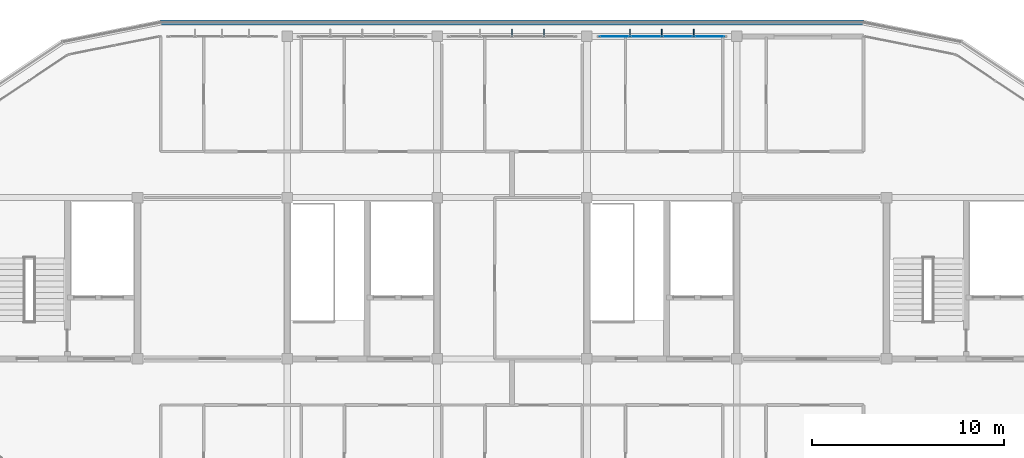
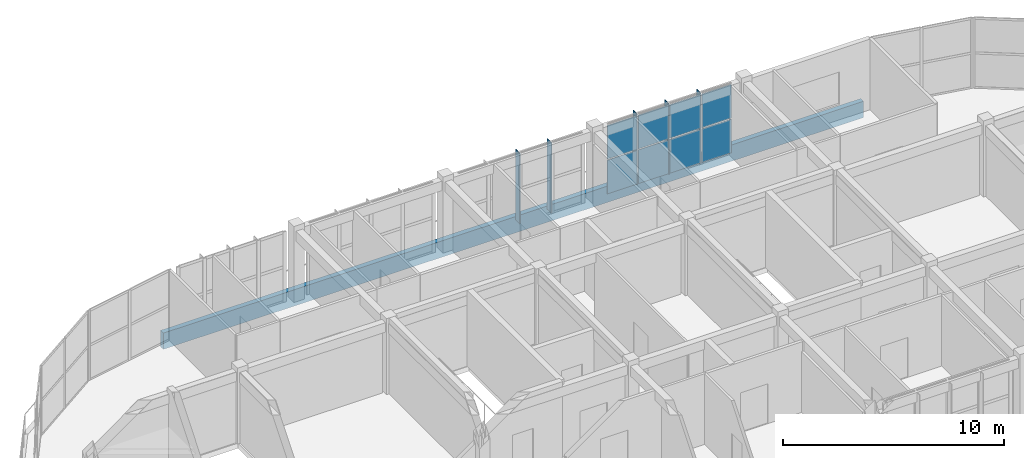
# One storey, part 27 of 33: 14 plates, 1 element without a shape of its own.
"""IFC4 building model written with IfcOpenShell, lengths in metres."""

import ifcopenshell
import ifcopenshell.guid

model = None  # the IFC model being written
_history = None  # IfcOwnerHistory: only IFC2X3 demands one
_inside = {}  # id of a spatial element -> (the spatial element, [elements in it])
_under = {}  # id of a project, library or spatial element -> (it, [spatial elements below it])
_declared = {}  # id of a project -> (the project, [libraries it declares])
_typed = {}  # id of a type object -> (the type object, [elements of that type])
_made_of = {}  # id of a material, layer set ... -> (it, [elements and type objects made of it])


def new_model(schema):
    """Start an empty IFC model of exactly this schema.

    Asked for "IFC4X3", IfcOpenShell would pick the latest addendum, in which some entities
    have other attributes; the version numbers below select the first issue.
    IFC2X3 requires an IfcOwnerHistory on every rooted entity: one is made here for all.
    """
    global model, _history
    if schema == "IFC4X3":
        model = ifcopenshell.file(schema_version=(4, 3, 0, 0))
    else:
        model = ifcopenshell.file(schema=schema)
    _inside.clear()
    _under.clear()
    _declared.clear()
    _typed.clear()
    _made_of.clear()
    _history = None
    if model.schema == "IFC2X3":
        org = make("IfcOrganization", Name="unknown")
        user = make(
            "IfcPersonAndOrganization",
            ThePerson=make("IfcPerson", FamilyName="unknown"),
            TheOrganization=org,
        )
        app = make(
            "IfcApplication",
            ApplicationDeveloper=org,
            Version="unknown",
            ApplicationFullName="unknown",
            ApplicationIdentifier="unknown",
        )
        _history = make(
            "IfcOwnerHistory",
            OwningUser=user,
            OwningApplication=app,
            ChangeAction="ADDED",
            CreationDate=0,
        )
    return model


def make(cls, **values):
    """One entity of the class cls with the attributes given. An attribute that is None is left unset."""
    return model.create_entity(
        cls, **{name: value for name, value in values.items() if value is not None}
    )


def rooted(cls, **values):
    """An entity with a GlobalId (a new one), such as an element, a storey or a relation."""
    return make(cls, GlobalId=ifcopenshell.guid.new(), OwnerHistory=_history, **values)


def si_unit(unit_type, name, prefix=None):
    """IfcSIUnit, for example si_unit("LENGTHUNIT", "METRE", prefix="MILLI")."""
    return make("IfcSIUnit", UnitType=unit_type, Prefix=prefix, Name=name)


def assignment(units):
    """IfcUnitAssignment: the units of a project."""
    return None if units is None else make("IfcUnitAssignment", Units=units)


def point(xyz):
    """IfcCartesianPoint."""
    return None if xyz is None else make("IfcCartesianPoint", Coordinates=xyz)


def direction(xyz):
    """IfcDirection."""
    return None if xyz is None else make("IfcDirection", DirectionRatios=xyz)


def frame(location, z_axis=None, x_axis=None):
    """IfcAxis2Placement3D, a coordinate frame: its origin and axes. An axis left out is left unset."""
    return make(
        "IfcAxis2Placement3D",
        Location=point(location),
        Axis=direction(z_axis),
        RefDirection=direction(x_axis),
    )


def frame_2d(location, x_axis=None):
    """IfcAxis2Placement2D, a coordinate frame in the plane: its origin and x axis."""
    return make(
        "IfcAxis2Placement2D", Location=point(location), RefDirection=direction(x_axis)
    )


def origin():
    """The frame at (0, 0, 0) with its axes left unset."""
    return frame((0.0, 0.0, 0.0))


def origin_2d():
    """The frame at (0, 0) in the plane with its x axis left unset."""
    return frame_2d((0.0, 0.0))


def place(relative_to, where):
    """IfcLocalPlacement: puts the frame where relative to a parent placement (None: the world)."""
    return make(
        "IfcLocalPlacement", PlacementRelTo=relative_to, RelativePlacement=where
    )


def context(
    kind, dimensions, precision=None, world=None, true_north=None, identifier=None
):
    """IfcGeometricRepresentationContext, for example the 3D "Model" context."""
    return make(
        "IfcGeometricRepresentationContext",
        ContextIdentifier=identifier,
        ContextType=kind,
        CoordinateSpaceDimension=dimensions,
        Precision=precision,
        WorldCoordinateSystem=world,
        TrueNorth=true_north,
    )


def subcontext(parent, identifier, kind, view, scale=None):
    """IfcGeometricRepresentationSubContext, for example "Body" below "Model"."""
    return make(
        "IfcGeometricRepresentationSubContext",
        ContextIdentifier=identifier,
        ContextType=kind,
        ParentContext=parent,
        TargetScale=scale,
        TargetView=view,
    )


def project(units=None, contexts=None):
    """IfcProject with its units and contexts."""
    return rooted(
        "IfcProject",
        Name="project",
        RepresentationContexts=contexts,
        UnitsInContext=assignment(units),
    )


def spatial(cls, under=None, at=None, **own):
    """A site, building, storey or space (cls), placed at a placement, below another one or the project."""
    s = rooted(cls, ObjectPlacement=at, **own)
    if under is not None:
        _under.setdefault(under.id(), (under, []))[1].append(s)
    return s


def polyline(points):
    """IfcPolyline through the points."""
    return make("IfcPolyline", Points=[point(p) for p in points])


def profile(cls, at=None, kind="AREA", **sizes):
    """A parametric profile (cls). Its sizes go by their IFC names, for example OverallWidth=200.0."""
    return make(cls, ProfileType=kind, Position=at, **sizes)


def rectangle(**sizes):
    """IfcRectangleProfileDef."""
    return profile("IfcRectangleProfileDef", **sizes)


def outline(outer, holes=None, kind="AREA"):
    """IfcArbitraryClosedProfileDef: a profile drawn as a closed curve; with holes, ...WithVoids."""
    if holes is None:
        return make("IfcArbitraryClosedProfileDef", ProfileType=kind, OuterCurve=outer)
    return make(
        "IfcArbitraryProfileDefWithVoids",
        ProfileType=kind,
        OuterCurve=outer,
        InnerCurves=holes,
    )


def extrude(swept, where, along, depth):
    """IfcExtrudedAreaSolid: the profile swept, set in the frame where, extruded along a direction by depth."""
    return make(
        "IfcExtrudedAreaSolid",
        SweptArea=swept,
        Position=where,
        ExtrudedDirection=direction(along),
        Depth=depth,
    )


def shape(context_of_items, identifier, shape_type, items):
    """IfcShapeRepresentation: the items that make up one representation, for example the "Body"."""
    return make(
        "IfcShapeRepresentation",
        ContextOfItems=context_of_items,
        RepresentationIdentifier=identifier,
        RepresentationType=shape_type,
        Items=items,
    )


def material(Name=None, Category=None):
    """IfcMaterial."""
    return make("IfcMaterial", Name=Name, Category=Category)


def layer(
    of_material, thickness, ventilated=None, Name=None, Category=None, Priority=None
):
    """IfcMaterialLayer: one layer of a wall or slab, of a material (None: an air gap)."""
    return make(
        "IfcMaterialLayer",
        Material=of_material,
        LayerThickness=thickness,
        IsVentilated=ventilated,
        Name=Name,
        Category=Category,
        Priority=Priority,
    )


def layer_set(layers, Name=None):
    """IfcMaterialLayerSet."""
    return make("IfcMaterialLayerSet", MaterialLayers=layers, LayerSetName=Name)


def made_of(thing, what):
    """Note that an element or type object is made of a material, layer set ...; save() writes the relation."""
    if what is not None:
        _made_of.setdefault(what.id(), (what, []))[1].append(thing)
    return thing


def type_object(cls, material=None, **own):
    """A type object (cls), such as IfcWallType, which elements share."""
    return made_of(rooted(cls, **own), material)


def element(
    cls,
    number,
    at=None,
    inside=None,
    cuts=None,
    type_object=None,
    material=None,
    context=None,
    identifier="Body",
    shape_type=None,
    held_by="IfcProductDefinitionShape",
    body=None,
    shapes=None,
    **own,
):
    """One element of the class cls, such as IfcWall. Its Tag is "e" and its number.

    at: its placement. inside: the storey or other place that contains it. cuts: it is an
    opening in that element (IfcRelVoidsElement). A single representation is given by context,
    identifier, shape_type and body (its items); several are given by shapes. held_by: the class
    of the entity that holds the representations. save() writes the other relations.
    """
    e = rooted(cls, Tag="e%d" % number, ObjectPlacement=at, **own)
    if body is not None:
        shapes = [shape(context, identifier, shape_type, body)]
    if shapes is not None:
        e.Representation = make(held_by, Representations=shapes)
    if inside is not None:
        _inside.setdefault(inside.id(), (inside, []))[1].append(e)
    if cuts is not None:
        rooted(
            "IfcRelVoidsElement", RelatingBuildingElement=cuts, RelatedOpeningElement=e
        )
    if type_object is not None:
        _typed.setdefault(type_object.id(), (type_object, []))[1].append(e)
    return made_of(e, material)


def aggregate(whole, parts):
    """IfcRelAggregates: a whole, such as a stair, and the parts it consists of."""
    return rooted("IfcRelAggregates", RelatingObject=whole, RelatedObjects=parts)


def save(model, path):
    """Write the relations noted so far, then the file.

    IfcRelAggregates (storeys below a building ...), IfcRelContainedInSpatialStructure (elements
    in a storey), IfcRelDefinesByType, IfcRelAssociatesMaterial and IfcRelDeclares: one each for
    every whole, place, type object, material and project.
    """
    for whole, parts in _under.values():
        aggregate(whole, parts)
    for where, things in _inside.values():
        rooted(
            "IfcRelContainedInSpatialStructure",
            RelatedElements=things,
            RelatingStructure=where,
        )
    for kind, things in _typed.values():
        rooted("IfcRelDefinesByType", RelatedObjects=things, RelatingType=kind)
    for what, things in _made_of.values():
        rooted("IfcRelAssociatesMaterial", RelatedObjects=things, RelatingMaterial=what)
    for by, libraries in _declared.values():
        rooted("IfcRelDeclares", RelatingContext=by, RelatedDefinitions=libraries)
    model.write(path)


model = new_model("IFC4")

# Units and contexts
model_context = context("Model", 3, precision=1e-05, world=origin(), true_north=direction((0.0, 1.0)))
body_context = subcontext(model_context, "Body", "Model", "MODEL_VIEW")
ifc_project = project(units=[si_unit("LENGTHUNIT", "METRE"), si_unit("AREAUNIT", "SQUARE_METRE"), si_unit("VOLUMEUNIT", "CUBIC_METRE"), si_unit("PLANEANGLEUNIT", "RADIAN"), si_unit("MASSUNIT", "GRAM", prefix="KILO")], contexts=[model_context])

# Site, building, storey
site_placement = place(None, origin())
site = spatial("IfcSite", under=ifc_project, at=site_placement, CompositionType="ELEMENT")
building_placement = place(site_placement, origin())
building = spatial("IfcBuilding", under=site, at=building_placement, Name="Zizhar Promenade General Hospital", CompositionType="ELEMENT")
storey_placement = place(building_placement, frame((0.0, 0.0, 39.0)))
storey = spatial("IfcBuildingStorey", under=building, at=storey_placement, Name="L09", CompositionType="ELEMENT", Elevation=39.0)

# Curtain wall, plates
ifc_material_1 = material(Name="Anodised aluminium 6063-T6 and low-E glass", Category="aluminium")
ifc_layer_1 = layer(ifc_material_1, 0.159912109375)
ifc_layer_set_1 = layer_set([ifc_layer_1], Name="Anodised aluminium 6063-T6 and low-E glass")
curtain_wall_type = type_object("IfcCurtainWallType", Name="CW-WARD-RIB", PredefinedType="NOTDEFINED", material=ifc_layer_set_1)
curtain_wall_placement = place(storey_placement, origin())
curtain_wall = element("IfcCurtainWall", 1, at=curtain_wall_placement, inside=storey, type_object=curtain_wall_type, Name="Ward Ribbon Curtain Wall L09-8-3", PredefinedType="NOTDEFINED")
ifc_material_2 = material(Name="Low-E solar-control glass", Category="glass")
ifc_layer_2 = layer(ifc_material_2, 0.031982421875)
ifc_layer_set_2 = layer_set([ifc_layer_2], Name="Low-E solar-control glass")
plate_type_1 = type_object("IfcPlateType", Name="CWP-GLZ-32", PredefinedType="CURTAIN_PANEL", material=ifc_layer_set_2)
plate_1_placement = place(storey_placement, frame((79.429931640625, 25.199951171875, 0.06005859375), z_axis=(0.0, 0.0, 1.0), x_axis=(1.0, 0.0, 0.0)))
plate_1 = element("IfcPlate", 2, at=plate_1_placement, type_object=plate_type_1, Name="CW-13 panel 1.1", PredefinedType="CURTAIN_PANEL", context=body_context, shape_type="SweptSolid", body=[
    extrude(rectangle(XDim=1.5400390625, YDim=0.031982421875, at=origin_2d()), origin(), (0.0, 0.0, 1.0), 1.860107421875),
])
plate_2_placement = place(storey_placement, frame((79.429931640625, 25.199951171875, 1.97998046875), z_axis=(0.0, 0.0, 1.0), x_axis=(1.0, 0.0, 0.0)))
plate_2 = element("IfcPlate", 3, at=plate_2_placement, type_object=plate_type_1, Name="CW-13 panel 1.2", PredefinedType="CURTAIN_PANEL", context=body_context, shape_type="SweptSolid", body=[
    extrude(rectangle(XDim=1.5400390625, YDim=0.031982421875, at=origin_2d()), origin(), (0.0, 0.0, 1.0), 1.860107421875),
])
plate_3_placement = place(storey_placement, frame((81.070068359375, 25.199951171875, 0.06005859375), z_axis=(0.0, 0.0, 1.0), x_axis=(1.0, 0.0, 0.0)))
plate_3 = element("IfcPlate", 4, at=plate_3_placement, type_object=plate_type_1, Name="CW-13 panel 2.1", PredefinedType="CURTAIN_PANEL", context=body_context, shape_type="SweptSolid", body=[
    extrude(rectangle(XDim=1.580078125, YDim=0.031982421875, at=origin_2d()), origin(), (0.0, 0.0, 1.0), 1.860107421875),
])
plate_4_placement = place(storey_placement, frame((81.070068359375, 25.199951171875, 1.97998046875), z_axis=(0.0, 0.0, 1.0), x_axis=(1.0, 0.0, 0.0)))
plate_4 = element("IfcPlate", 5, at=plate_4_placement, type_object=plate_type_1, Name="CW-13 panel 2.2", PredefinedType="CURTAIN_PANEL", context=body_context, shape_type="SweptSolid", body=[
    extrude(rectangle(XDim=1.580078125, YDim=0.031982421875, at=origin_2d()), origin(), (0.0, 0.0, 1.0), 1.860107421875),
])
plate_5_placement = place(storey_placement, frame((82.72998046875, 25.199951171875, 0.06005859375), z_axis=(0.0, 0.0, 1.0), x_axis=(1.0, 0.0, 0.0)))
plate_5 = element("IfcPlate", 6, at=plate_5_placement, type_object=plate_type_1, Name="CW-13 panel 3.1", PredefinedType="CURTAIN_PANEL", context=body_context, shape_type="SweptSolid", body=[
    extrude(rectangle(XDim=1.580078125, YDim=0.031982421875, at=origin_2d()), origin(), (0.0, 0.0, 1.0), 1.860107421875),
])
plate_6_placement = place(storey_placement, frame((82.72998046875, 25.199951171875, 1.97998046875), z_axis=(0.0, 0.0, 1.0), x_axis=(1.0, 0.0, 0.0)))
plate_6 = element("IfcPlate", 7, at=plate_6_placement, type_object=plate_type_1, Name="CW-13 panel 3.2", PredefinedType="CURTAIN_PANEL", context=body_context, shape_type="SweptSolid", body=[
    extrude(rectangle(XDim=1.580078125, YDim=0.031982421875, at=origin_2d()), origin(), (0.0, 0.0, 1.0), 1.860107421875),
])
plate_7_placement = place(storey_placement, frame((84.3701171875, 25.199951171875, 0.06005859375), z_axis=(0.0, 0.0, 1.0), x_axis=(1.0, 0.0, 0.0)))
plate_7 = element("IfcPlate", 8, at=plate_7_placement, type_object=plate_type_1, Name="CW-13 panel 4.1", PredefinedType="CURTAIN_PANEL", context=body_context, shape_type="SweptSolid", body=[
    extrude(rectangle(XDim=1.5400390625, YDim=0.031982421875, at=origin_2d()), origin(), (0.0, 0.0, 1.0), 1.860107421875),
])
plate_8_placement = place(storey_placement, frame((84.3701171875, 25.199951171875, 1.97998046875), z_axis=(0.0, 0.0, 1.0), x_axis=(1.0, 0.0, 0.0)))
plate_8 = element("IfcPlate", 9, at=plate_8_placement, type_object=plate_type_1, Name="CW-13 panel 4.2", PredefinedType="CURTAIN_PANEL", context=body_context, shape_type="SweptSolid", body=[
    extrude(rectangle(XDim=1.5400390625, YDim=0.031982421875, at=origin_2d()), origin(), (0.0, 0.0, 1.0), 1.860107421875),
])
aggregate(curtain_wall, [plate_1, plate_2, plate_3, plate_4, plate_5, plate_6, plate_7, plate_8])

# Plates
ifc_material_3 = material(Name="Anodised aluminium 6063-T6", Category="aluminium")
ifc_layer_3 = layer(ifc_material_3, 0.035888671875)
ifc_layer_set_3 = layer_set([ifc_layer_3], Name="Anodised aluminium 6063-T6")
plate_type_2 = type_object("IfcPlateType", Name="FIN-ALU-380", PredefinedType="USERDEFINED", material=ifc_layer_set_3)
plate_9_placement = place(storey_placement, origin())
element("IfcPlate", 10, at=plate_9_placement, inside=storey, type_object=plate_type_2, Name="Ward Ribbon Curtain Wall L09-8-2 Solar Fin 2", ObjectType="SOLAR_SHADE", PredefinedType="USERDEFINED", context=body_context, shape_type="SweptSolid", body=[
    extrude(outline(polyline([(74.08203125, 25.199951171875), (74.117919921875, 25.199951171875), (74.117919921875, 25.580078125), (74.08203125, 25.580078125), (74.08203125, 25.199951171875)])), origin(), (0.0, 0.0, 1.0), 3.89990234375),
])
plate_10_placement = place(storey_placement, origin())
element("IfcPlate", 11, at=plate_10_placement, inside=storey, type_object=plate_type_2, Name="Ward Ribbon Curtain Wall L09-8-2 Solar Fin 3", ObjectType="SOLAR_SHADE", PredefinedType="USERDEFINED", context=body_context, shape_type="SweptSolid", body=[
    extrude(outline(polyline([(75.741943359375, 25.199951171875), (75.778076171875, 25.199951171875), (75.778076171875, 25.580078125), (75.741943359375, 25.580078125), (75.741943359375, 25.199951171875)])), origin(), (0.0, 0.0, 1.0), 3.89990234375),
])
plate_11_placement = place(storey_placement, origin())
element("IfcPlate", 12, at=plate_11_placement, inside=storey, type_object=plate_type_2, Name="Ward Ribbon Curtain Wall L09-8-3 Solar Fin 1", ObjectType="SOLAR_SHADE", PredefinedType="USERDEFINED", context=body_context, shape_type="SweptSolid", body=[
    extrude(outline(polyline([(80.221923828125, 25.199951171875), (80.258056640625, 25.199951171875), (80.258056640625, 25.580078125), (80.221923828125, 25.580078125), (80.221923828125, 25.199951171875)])), origin(), (0.0, 0.0, 1.0), 3.89990234375),
])
plate_12_placement = place(storey_placement, origin())
element("IfcPlate", 13, at=plate_12_placement, inside=storey, type_object=plate_type_2, Name="Ward Ribbon Curtain Wall L09-8-3 Solar Fin 2", ObjectType="SOLAR_SHADE", PredefinedType="USERDEFINED", context=body_context, shape_type="SweptSolid", body=[
    extrude(outline(polyline([(81.882080078125, 25.199951171875), (81.91796875, 25.199951171875), (81.91796875, 25.580078125), (81.882080078125, 25.580078125), (81.882080078125, 25.199951171875)])), origin(), (0.0, 0.0, 1.0), 3.89990234375),
])
plate_13_placement = place(storey_placement, origin())
element("IfcPlate", 14, at=plate_13_placement, inside=storey, type_object=plate_type_2, Name="Ward Ribbon Curtain Wall L09-8-3 Solar Fin 3", ObjectType="SOLAR_SHADE", PredefinedType="USERDEFINED", context=body_context, shape_type="SweptSolid", body=[
    extrude(outline(polyline([(83.5419921875, 25.199951171875), (83.577880859375, 25.199951171875), (83.577880859375, 25.580078125), (83.5419921875, 25.580078125), (83.5419921875, 25.199951171875)])), origin(), (0.0, 0.0, 1.0), 3.89990234375),
])
ifc_material_4 = material(Name="Precast concrete C40/50", Category="concrete")
ifc_layer_4 = layer(ifc_material_4, 0.260009765625)
ifc_layer_set_4 = layer_set([ifc_layer_4], Name="Precast concrete C40/50")
plate_type_3 = type_object("IfcPlateType", Name="PL-PC-BAND950", PredefinedType="USERDEFINED", material=ifc_layer_set_4)
plate_14_placement = place(storey_placement, frame((0.0, 0.0, -0.89990234375)))
element("IfcPlate", 15, at=plate_14_placement, inside=storey, type_object=plate_type_3, Name="Ward Precast Slab Band L09-09", ObjectType="FASCIA_BAND", PredefinedType="USERDEFINED", context=body_context, shape_type="SweptSolid", body=[
    extrude(outline(polyline([(92.39990234375, 26.050048828125), (55.800048828125, 26.050048828125), (55.800048828125, 25.7900390625), (92.39990234375, 25.7900390625), (92.39990234375, 26.050048828125)])), origin(), (0.0, 0.0, 1.0), 0.89990234375),
])

save(model, "model.ifc")
